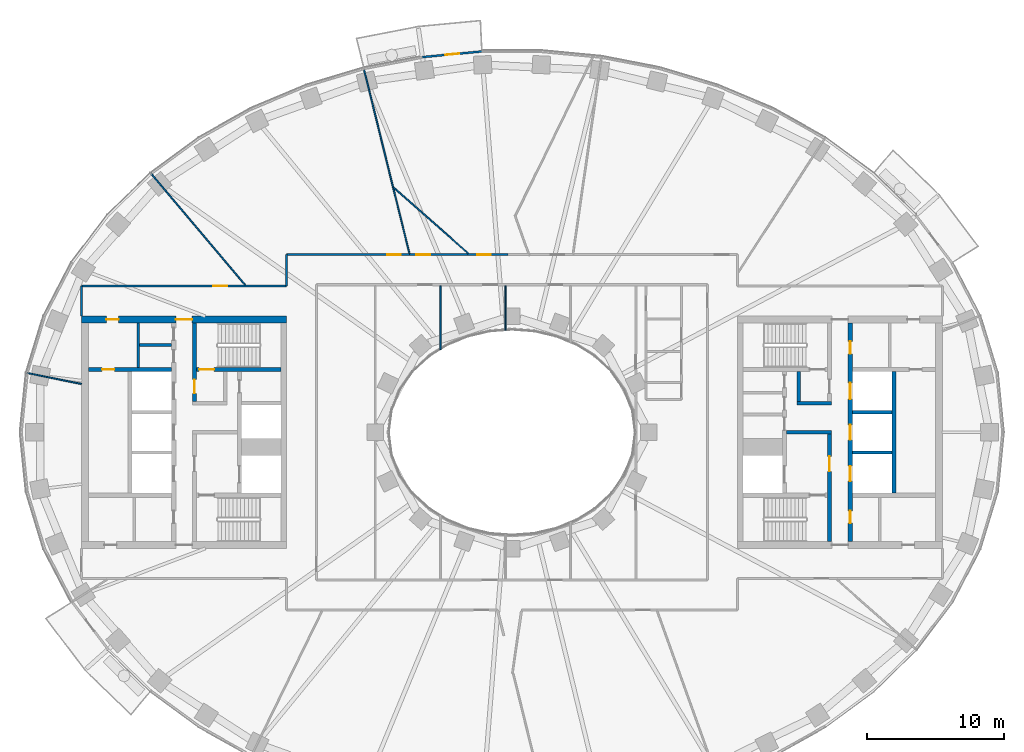
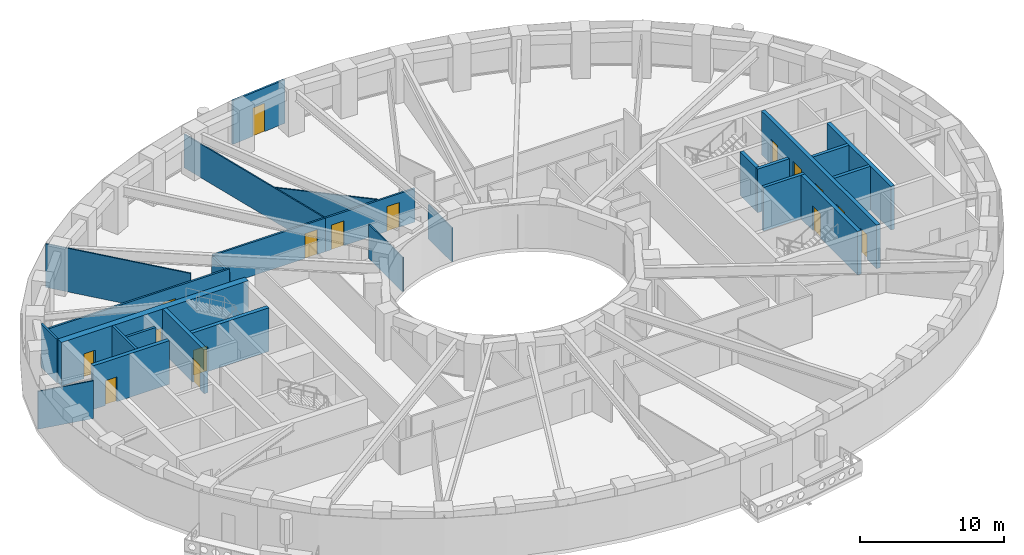
# One storey, part 5 of 16: 26 walls, 16 doors, 16 openings.
"""IFC4 building model written with IfcOpenShell, lengths in metres."""

from ifc_helpers import new_model, si_unit, direction, frame, frame_2d, origin, place, context, subcontext, project, spatial, rectangle, extrude, material, layer, layer_set, type_object, element, fill, save


model = new_model("IFC4")

# Units and contexts
model_context = context("Model", 3, precision=1e-05, world=origin(), true_north=direction((0.0, 1.0)))
body_context = subcontext(model_context, "Body", "Model", "MODEL_VIEW")
ifc_project = project(units=[si_unit("LENGTHUNIT", "METRE"), si_unit("AREAUNIT", "SQUARE_METRE"), si_unit("VOLUMEUNIT", "CUBIC_METRE"), si_unit("PLANEANGLEUNIT", "RADIAN"), si_unit("MASSUNIT", "GRAM", prefix="KILO")], contexts=[model_context])

# Site, building, storey
site_placement = place(None, origin())
site = spatial("IfcSite", under=ifc_project, at=site_placement, CompositionType="ELEMENT")
building_placement = place(site_placement, origin())
building = spatial("IfcBuilding", under=site, at=building_placement, Name="Noorbagh Ring Tower", CompositionType="ELEMENT")
storey_placement = place(building_placement, frame((0.0, 0.0, 108.0)))
storey = spatial("IfcBuildingStorey", under=building, at=storey_placement, Name="L24", CompositionType="ELEMENT", Elevation=108.0)

# Walls
ifc_material_1 = material(Name="Gypsum board on steel studs", Category="steel")
ifc_layer_1 = layer(ifc_material_1, 0.199951171875)
ifc_layer_set_1 = layer_set([ifc_layer_1], Name="Gypsum board on steel studs")
wall_type_1 = type_object("IfcWallType", Name="CORE-PARTITION-200", PredefinedType="PARTITIONING", material=ifc_layer_set_1)
wall_1_placement = place(storey_placement, frame((-27.35009765625, 4.75, 0.0), z_axis=(0.0, 0.0, 1.0), x_axis=(0.0, 1.0, 0.0)))
element("IfcWall", 1, at=wall_1_placement, inside=storey, type_object=wall_type_1, Name="Core partition W", PredefinedType="PARTITIONING", context=body_context, shape_type="SweptSolid", body=[
    extrude(rectangle(XDim=3.25, YDim=0.199951171875, at=frame_2d((1.625, 0.0))), origin(), (0.0, 0.0, 1.0), 3.699951171875),
])
wall_2_placement = place(storey_placement, frame((-24.89990234375, 6.39990234375, 0.0), z_axis=(0.0, 0.0, 1.0), x_axis=(-1.0, 0.0, 0.0)))
element("IfcWall", 2, at=wall_2_placement, inside=storey, type_object=wall_type_1, Name="Core partition W", PredefinedType="PARTITIONING", context=body_context, shape_type="SweptSolid", body=[
    extrude(rectangle(XDim=2.35009765625, YDim=0.199951171875, at=frame_2d((1.175048828125, 0.0))), origin(), (0.0, 0.0, 1.0), 3.699951171875),
])
ifc_material_2 = material(Name="Concrete C70/85", Category="concrete")
ifc_layer_2 = layer(ifc_material_2, 0.25)
ifc_layer_set_2 = layer_set([ifc_layer_2], Name="Concrete C70/85")
wall_type_2 = type_object("IfcWallType", Name="CORE-WALL-250-C70-85-EI120", PredefinedType="SHEAR", material=ifc_layer_set_2)
for number, where, z_axis, x_axis, name in (
    (3, (24.89990234375, -1.47509765625, 0.0), (0.0, 0.0, 1.0), (1.0, 0.0, 0.0), "Core wall E"),
    (4, (24.89990234375, 1.47509765625, 0.0), (0.0, 0.0, 1.0), (1.0, 0.0, 0.0), "Core wall E"),
):
    element("IfcWall", number, at=place(storey_placement, frame(where, z_axis=z_axis, x_axis=x_axis)), inside=storey, type_object=wall_type_2, Name=name, PredefinedType="SHEAR", context=body_context, shape_type="SweptSolid", body=[
        extrude(rectangle(XDim=2.900146484375, YDim=0.25, at=frame_2d((1.4501953125, 0.0))), origin(), (0.0, 0.0, 1.0), 3.699951171875),
    ])
ifc_material_3 = material(Name="Concrete C70/85", Category="concrete")
ifc_layer_3 = layer(ifc_material_3, 0.25)
ifc_layer_set_3 = layer_set([ifc_layer_3], Name="Concrete C70/85")
wall_type_3 = type_object("IfcWallType", Name="CORE-WALL-250-C70-85-EI240", PredefinedType="SHEAR", material=ifc_layer_set_3)
wall_3_placement = place(storey_placement, frame((20.10009765625, 0.0, 0.0), z_axis=(0.0, 0.0, 1.0), x_axis=(1.0, 0.0, 0.0)))
element("IfcWall", 5, at=wall_3_placement, inside=storey, type_object=wall_type_3, Name="Core wall E", PredefinedType="SHEAR", context=body_context, shape_type="SweptSolid", body=[
    extrude(rectangle(XDim=3.27978515625, YDim=0.25, at=frame_2d((1.639892578125, 0.0))), origin(), (0.0, 0.0, 1.0), 3.699951171875),
])
wall_4_placement = place(storey_placement, frame((20.85009765625, 2.125, 0.0), z_axis=(0.0, 0.0, 1.0), x_axis=(1.0, 0.0, 0.0)))
element("IfcWall", 6, at=wall_4_placement, inside=storey, type_object=wall_type_3, Name="Core wall E", PredefinedType="SHEAR", context=body_context, shape_type="SweptSolid", body=[
    extrude(rectangle(XDim=2.52978515625, YDim=0.25, at=frame_2d((1.264892578125, 0.0))), origin(), (0.0, 0.0, 1.0), 3.699951171875),
])
wall_5_placement = place(storey_placement, frame((20.97509765625, 2.25, 0.0), z_axis=(0.0, 0.0, 1.0), x_axis=(0.0, 1.0, 0.0)))
element("IfcWall", 7, at=wall_5_placement, inside=storey, type_object=wall_type_3, Name="Core wall E", PredefinedType="SHEAR", context=body_context, shape_type="SweptSolid", body=[
    extrude(rectangle(XDim=2.199951171875, YDim=0.25, at=frame_2d((1.10009765625, 0.0))), origin(), (0.0, 0.0, 1.0), 3.699951171875),
])
ifc_material_4 = material(Name="Concrete C70/85", Category="concrete")
ifc_layer_4 = layer(ifc_material_4, 0.300048828125)
ifc_layer_set_4 = layer_set([ifc_layer_4], Name="Concrete C70/85")
wall_type_4 = type_object("IfcWallType", Name="CORE-WALL-300-C70-85-EI120", PredefinedType="SHEAR", material=ifc_layer_set_4)
wall_6_placement = place(storey_placement, frame((27.949951171875, -4.449951171875, 0.0), z_axis=(0.0, 0.0, 1.0), x_axis=(0.0, 1.0, 0.0)))
element("IfcWall", 8, at=wall_6_placement, inside=storey, type_object=wall_type_4, Name="Core wall E", PredefinedType="SHEAR", context=body_context, shape_type="SweptSolid", body=[
    extrude(rectangle(XDim=8.89990234375, YDim=0.300048828125, at=frame_2d((4.449951171875, 0.0))), origin(), (0.0, 0.0, 1.0), 3.699951171875),
])

# Wall, openings, doors
wall_7_placement = place(storey_placement, frame((24.75, -8.0, 0.0), z_axis=(0.0, 0.0, 1.0), x_axis=(0.0, 1.0, 0.0)))
wall_7 = element("IfcWall", 9, at=wall_7_placement, inside=storey, type_object=wall_type_4, Name="Core wall E", PredefinedType="SHEAR", context=body_context, shape_type="SweptSolid", body=[
    extrude(rectangle(XDim=16.0, YDim=0.300048828125, at=frame_2d((8.0, 0.0))), origin(), (0.0, 0.0, 1.0), 3.699951171875),
])
opening_1_placement = place(wall_7_placement, frame((4.425048828125, 0.0, 0.0)))
opening_1 = element("IfcOpeningElement", 10, at=opening_1_placement, cuts=wall_7, Name="Opening L24-CE02", PredefinedType="OPENING", context=body_context, shape_type="SweptSolid", body=[
    extrude(rectangle(XDim=1.10009765625, YDim=2.10009765625, at=frame_2d((0.550048828125, 1.050048828125))), frame((0.0, 0.16015625, 0.0), z_axis=(0.0, -1.0, 0.0), x_axis=(1.0, 0.0, 0.0)), (0.0, 0.0, 1.0), 0.320068359375),
])
opening_2_placement = place(wall_7_placement, frame((7.449951171875, 0.0, 0.0)))
opening_2 = element("IfcOpeningElement", 11, at=opening_2_placement, cuts=wall_7, Name="Opening L24-CE03", PredefinedType="OPENING", context=body_context, shape_type="SweptSolid", body=[
    extrude(rectangle(XDim=1.10009765625, YDim=2.10009765625, at=frame_2d((0.550048828125, 1.050048828125))), frame((0.0, 0.16015625, 0.0), z_axis=(0.0, -1.0, 0.0), x_axis=(1.0, 0.0, 0.0)), (0.0, 0.0, 1.0), 0.320068359375),
])
opening_3_placement = place(wall_7_placement, frame((10.425048828125, 0.0, 0.0)))
opening_3 = element("IfcOpeningElement", 12, at=opening_3_placement, cuts=wall_7, Name="Opening L24-CE04", PredefinedType="OPENING", context=body_context, shape_type="SweptSolid", body=[
    extrude(rectangle(XDim=1.199951171875, YDim=2.10009765625, at=frame_2d((0.60009765625, 1.050048828125))), frame((0.0, 0.16015625, 0.0), z_axis=(0.0, -1.0, 0.0), x_axis=(1.0, 0.0, 0.0)), (0.0, 0.0, 1.0), 0.320068359375),
])
opening_4_placement = place(wall_7_placement, frame((13.75, 0.0, 0.0)))
opening_4 = element("IfcOpeningElement", 13, at=opening_4_placement, cuts=wall_7, Name="Opening L24-CE14", PredefinedType="OPENING", context=body_context, shape_type="SweptSolid", body=[
    extrude(rectangle(XDim=0.89990234375, YDim=2.10009765625, at=frame_2d((0.449951171875, 1.050048828125))), frame((0.0, 0.16015625, 0.0), z_axis=(0.0, -1.0, 0.0), x_axis=(1.0, 0.0, 0.0)), (0.0, 0.0, 1.0), 0.320068359375),
])
opening_5_placement = place(wall_7_placement, frame((1.35009765625, 0.0, 0.0)))
opening_5 = element("IfcOpeningElement", 14, at=opening_5_placement, cuts=wall_7, Name="Opening L24-CE16", PredefinedType="OPENING", context=body_context, shape_type="SweptSolid", body=[
    extrude(rectangle(XDim=0.89990234375, YDim=2.10009765625, at=frame_2d((0.449951171875, 1.050048828125))), frame((0.0, 0.16015625, 0.0), z_axis=(0.0, -1.0, 0.0), x_axis=(1.0, 0.0, 0.0)), (0.0, 0.0, 1.0), 0.320068359375),
])
ifc_material_5 = material(Name="Steel door leaf", Category="steel")
door_type_1 = type_object("IfcDoorType", Name="CORE-DOOR-DROOM", OperationType="SINGLE_SWING_LEFT", PredefinedType="DOOR", material=ifc_material_5)
door_1_placement = place(opening_4_placement, origin())
door_1 = element("IfcDoor", 15, at=door_1_placement, inside=storey, type_object=door_type_1, Name="Core room door L24-CE14", OperationType="SINGLE_SWING_LEFT", OverallHeight=2.10009765625, OverallWidth=0.89990234375, PredefinedType="DOOR", context=body_context, shape_type="SweptSolid", body=[
    extrude(rectangle(XDim=0.89990234375, YDim=2.10009765625, at=frame_2d((0.449951171875, 1.050048828125))), frame((0.0, 0.02490234375, 0.0), z_axis=(0.0, -1.0, 0.0), x_axis=(1.0, 0.0, 0.0)), (0.0, 0.0, 1.0), 0.050048828125),
])
fill(opening_4, door_1)
door_2_placement = place(opening_5_placement, origin())
door_2 = element("IfcDoor", 16, at=door_2_placement, inside=storey, type_object=door_type_1, Name="Core room door L24-CE16", OperationType="SINGLE_SWING_RIGHT", OverallHeight=2.10009765625, OverallWidth=0.89990234375, PredefinedType="DOOR", context=body_context, shape_type="SweptSolid", body=[
    extrude(rectangle(XDim=0.89990234375, YDim=2.10009765625, at=frame_2d((0.449951171875, 1.050048828125))), frame((0.0, 0.02490234375, 0.0), z_axis=(0.0, -1.0, 0.0), x_axis=(1.0, 0.0, 0.0)), (0.0, 0.0, 1.0), 0.050048828125),
])
fill(opening_5, door_2)
ifc_material_6 = material(Name="Steel door leaf", Category="steel")
door_type_2 = type_object("IfcDoorType", Name="CORE-DOOR-LD", OperationType="DOUBLE_DOOR_SLIDING", PredefinedType="DOOR", material=ifc_material_6)
door_3_placement = place(opening_1_placement, origin())
door_3 = element("IfcDoor", 17, at=door_3_placement, inside=storey, type_object=door_type_2, Name="Landing door LR3 L24-CE02", OperationType="DOUBLE_DOOR_SLIDING", OverallHeight=2.10009765625, OverallWidth=1.10009765625, PredefinedType="DOOR", context=body_context, shape_type="SweptSolid", body=[
    extrude(rectangle(XDim=1.10009765625, YDim=2.10009765625, at=frame_2d((0.550048828125, 1.050048828125))), frame((0.0, 0.02490234375, 0.0), z_axis=(0.0, -1.0, 0.0), x_axis=(1.0, 0.0, 0.0)), (0.0, 0.0, 1.0), 0.050048828125),
])
fill(opening_1, door_3)
door_4_placement = place(opening_2_placement, origin())
door_4 = element("IfcDoor", 18, at=door_4_placement, inside=storey, type_object=door_type_2, Name="Landing door LR4 L24-CE03", OperationType="DOUBLE_DOOR_SLIDING", OverallHeight=2.10009765625, OverallWidth=1.10009765625, PredefinedType="DOOR", context=body_context, shape_type="SweptSolid", body=[
    extrude(rectangle(XDim=1.10009765625, YDim=2.10009765625, at=frame_2d((0.550048828125, 1.050048828125))), frame((0.0, 0.02490234375, 0.0), z_axis=(0.0, -1.0, 0.0), x_axis=(1.0, 0.0, 0.0)), (0.0, 0.0, 1.0), 0.050048828125),
])
fill(opening_2, door_4)
ifc_material_7 = material(Name="Steel door leaf", Category="steel")
door_type_3 = type_object("IfcDoorType", Name="CORE-DOOR-LDW", OperationType="DOUBLE_DOOR_SLIDING", PredefinedType="DOOR", material=ifc_material_7)
door_5_placement = place(opening_3_placement, origin())
door_5 = element("IfcDoor", 19, at=door_5_placement, inside=storey, type_object=door_type_3, Name="Landing door SV2 L24-CE04", OperationType="DOUBLE_DOOR_SLIDING", OverallHeight=2.10009765625, OverallWidth=1.199951171875, PredefinedType="DOOR", context=body_context, shape_type="SweptSolid", body=[
    extrude(rectangle(XDim=1.199951171875, YDim=2.10009765625, at=frame_2d((0.60009765625, 1.050048828125))), frame((0.0, 0.02490234375, 0.0), z_axis=(0.0, -1.0, 0.0), x_axis=(1.0, 0.0, 0.0)), (0.0, 0.0, 1.0), 0.050048828125),
])
fill(opening_3, door_5)

# Wall, opening, door
ifc_material_8 = material(Name="Concrete C70/85", Category="concrete")
ifc_layer_5 = layer(ifc_material_8, 0.300048828125)
ifc_layer_set_5 = layer_set([ifc_layer_5], Name="Concrete C70/85")
wall_type_5 = type_object("IfcWallType", Name="CORE-WALL-300-C70-85-EI240", PredefinedType="SHEAR", material=ifc_layer_set_5)
wall_8_placement = place(storey_placement, frame((-24.89990234375, 4.60009765625, 0.0), z_axis=(0.0, 0.0, 1.0), x_axis=(-1.0, 0.0, 0.0)))
wall_8 = element("IfcWall", 20, at=wall_8_placement, inside=storey, type_object=wall_type_5, Name="Core wall W", PredefinedType="SHEAR", context=body_context, shape_type="SweptSolid", body=[
    extrude(rectangle(XDim=6.10009765625, YDim=0.300048828125, at=frame_2d((3.050048828125, 0.0))), origin(), (0.0, 0.0, 1.0), 3.699951171875),
])
opening_6_placement = place(wall_8_placement, frame((4.199951171875, 0.0, 0.0)))
opening_6 = element("IfcOpeningElement", 21, at=opening_6_placement, cuts=wall_8, Name="Opening L24-CW17", PredefinedType="OPENING", context=body_context, shape_type="SweptSolid", body=[
    extrude(rectangle(XDim=0.89990234375, YDim=2.10009765625, at=frame_2d((0.449951171875, 1.050048828125))), frame((0.0, 0.16015625, 0.0), z_axis=(0.0, -1.0, 0.0), x_axis=(1.0, 0.0, 0.0)), (0.0, 0.0, 1.0), 0.320068359375),
])
door_6_placement = place(opening_6_placement, origin())
door_6 = element("IfcDoor", 22, at=door_6_placement, inside=storey, type_object=door_type_1, Name="Core room door L24-CW17", OperationType="SINGLE_SWING_LEFT", OverallHeight=2.10009765625, OverallWidth=0.89990234375, PredefinedType="DOOR", context=body_context, shape_type="SweptSolid", body=[
    extrude(rectangle(XDim=0.89990234375, YDim=2.10009765625, at=frame_2d((0.449951171875, 1.050048828125))), frame((0.0, 0.02490234375, 0.0), z_axis=(0.0, -1.0, 0.0), x_axis=(1.0, 0.0, 0.0)), (0.0, 0.0, 1.0), 0.050048828125),
])
fill(opening_6, door_6)

wall_9_placement = place(storey_placement, frame((-23.22998046875, 2.25, 0.0), z_axis=(0.0, 0.0, 1.0), x_axis=(0.0, 1.0, 0.0)))
wall_9 = element("IfcWall", 23, at=wall_9_placement, inside=storey, type_object=wall_type_5, Name="Core wall W", PredefinedType="SHEAR", context=body_context, shape_type="SweptSolid", body=[
    extrude(rectangle(XDim=5.75, YDim=0.300048828125, at=frame_2d((2.875, 0.0))), origin(), (0.0, 0.0, 1.0), 3.699951171875),
])
opening_7_placement = place(wall_9_placement, frame((0.60009765625, 0.0, 0.0)))
opening_7 = element("IfcOpeningElement", 24, at=opening_7_placement, cuts=wall_9, Name="Opening L24-CW08", PredefinedType="OPENING", context=body_context, shape_type="SweptSolid", body=[
    extrude(rectangle(XDim=1.0, YDim=2.10009765625, at=frame_2d((0.5, 1.050048828125))), frame((0.0, 0.16015625, 0.0), z_axis=(0.0, -1.0, 0.0), x_axis=(1.0, 0.0, 0.0)), (0.0, 0.0, 1.0), 0.320068359375),
])
ifc_material_9 = material(Name="Steel door leaf", Category="steel")
door_type_4 = type_object("IfcDoorType", Name="CORE-DOOR-DVEST", OperationType="SINGLE_SWING_LEFT", PredefinedType="DOOR", material=ifc_material_9)
door_7_placement = place(opening_7_placement, origin())
door_7 = element("IfcDoor", 25, at=door_7_placement, inside=storey, type_object=door_type_4, Name="Stair vestibule door L24-CW08", OperationType="SINGLE_SWING_LEFT", OverallHeight=2.10009765625, OverallWidth=1.0, PredefinedType="DOOR", context=body_context, shape_type="SweptSolid", body=[
    extrude(rectangle(XDim=1.0, YDim=2.10009765625, at=frame_2d((0.5, 1.050048828125))), frame((0.0, 0.02490234375, 0.0), z_axis=(0.0, -1.0, 0.0), x_axis=(1.0, 0.0, 0.0)), (0.0, 0.0, 1.0), 0.050048828125),
])
fill(opening_7, door_7)

wall_10_placement = place(storey_placement, frame((-16.89990234375, 4.60009765625, 0.0), z_axis=(0.0, 0.0, 1.0), x_axis=(-1.0, 0.0, 0.0)))
wall_10 = element("IfcWall", 26, at=wall_10_placement, inside=storey, type_object=wall_type_5, Name="Core wall W", PredefinedType="SHEAR", context=body_context, shape_type="SweptSolid", body=[
    extrude(rectangle(XDim=6.18017578125, YDim=0.300048828125, at=frame_2d((3.090087890625, 0.0))), origin(), (0.0, 0.0, 1.0), 3.699951171875),
])
opening_8_placement = place(wall_10_placement, frame((4.89990234375, 0.0, 0.0)))
opening_8 = element("IfcOpeningElement", 27, at=opening_8_placement, cuts=wall_10, Name="Opening L24-CW05", PredefinedType="OPENING", context=body_context, shape_type="SweptSolid", body=[
    extrude(rectangle(XDim=1.10009765625, YDim=2.10009765625, at=frame_2d((0.550048828125, 1.050048828125))), frame((0.0, 0.16015625, 0.0), z_axis=(0.0, -1.0, 0.0), x_axis=(1.0, 0.0, 0.0)), (0.0, 0.0, 1.0), 0.320068359375),
])
ifc_material_10 = material(Name="Steel door leaf", Category="steel")
door_type_5 = type_object("IfcDoorType", Name="CORE-DOOR-DSTAIR", OperationType="SINGLE_SWING_LEFT", PredefinedType="DOOR", material=ifc_material_10)
door_8_placement = place(opening_8_placement, origin())
door_8 = element("IfcDoor", 28, at=door_8_placement, inside=storey, type_object=door_type_5, Name="Stair door ST1 L24-CW05", OperationType="SINGLE_SWING_RIGHT", OverallHeight=2.10009765625, OverallWidth=1.10009765625, PredefinedType="DOOR", context=body_context, shape_type="SweptSolid", body=[
    extrude(rectangle(XDim=1.10009765625, YDim=2.10009765625, at=frame_2d((0.550048828125, 1.050048828125))), frame((0.0, 0.02490234375, 0.0), z_axis=(0.0, -1.0, 0.0), x_axis=(1.0, 0.0, 0.0)), (0.0, 0.0, 1.0), 0.050048828125),
])
fill(opening_8, door_8)

wall_11_placement = place(storey_placement, frame((23.22998046875, -8.0, 0.0), z_axis=(0.0, 0.0, 1.0), x_axis=(0.0, 1.0, 0.0)))
wall_11 = element("IfcWall", 29, at=wall_11_placement, inside=storey, type_object=wall_type_5, Name="Core wall E", PredefinedType="SHEAR", context=body_context, shape_type="SweptSolid", body=[
    extrude(rectangle(XDim=7.875, YDim=0.300048828125, at=frame_2d((3.9375, 0.0))), origin(), (0.0, 0.0, 1.0), 3.699951171875),
])
opening_9_placement = place(wall_11_placement, frame((5.14990234375, 0.0, 0.0)))
opening_9 = element("IfcOpeningElement", 30, at=opening_9_placement, cuts=wall_11, Name="Opening L24-CE07", PredefinedType="OPENING", context=body_context, shape_type="SweptSolid", body=[
    extrude(rectangle(XDim=1.10009765625, YDim=2.10009765625, at=frame_2d((0.550048828125, 1.050048828125))), frame((0.0, 0.16015625, 0.0), z_axis=(0.0, -1.0, 0.0), x_axis=(1.0, 0.0, 0.0)), (0.0, 0.0, 1.0), 0.320068359375),
])
ifc_material_11 = material(Name="Steel door leaf", Category="steel")
door_type_6 = type_object("IfcDoorType", Name="CORE-DOOR-DFF", OperationType="SINGLE_SWING_LEFT", PredefinedType="DOOR", material=ifc_material_11)
door_9_placement = place(opening_9_placement, origin())
door_9 = element("IfcDoor", 31, at=door_9_placement, inside=storey, type_object=door_type_6, Name="Firefighting lobby door L24-CE07", OperationType="SINGLE_SWING_RIGHT", OverallHeight=2.10009765625, OverallWidth=1.10009765625, PredefinedType="DOOR", context=body_context, shape_type="SweptSolid", body=[
    extrude(rectangle(XDim=1.10009765625, YDim=2.10009765625, at=frame_2d((0.550048828125, 1.050048828125))), frame((0.0, 0.02490234375, 0.0), z_axis=(0.0, -1.0, 0.0), x_axis=(1.0, 0.0, 0.0)), (0.0, 0.0, 1.0), 0.050048828125),
])
fill(opening_9, door_9)

# Wall, openings, doors
ifc_material_12 = material(Name="Concrete C70/85", Category="concrete")
ifc_layer_6 = layer(ifc_material_12, 0.5)
ifc_layer_set_6 = layer_set([ifc_layer_6], Name="Concrete C70/85")
wall_type_6 = type_object("IfcWallType", Name="CORE-WALL-500-C70-85-EI240", PredefinedType="SHEAR", material=ifc_layer_set_6)
wall_12_placement = place(storey_placement, frame((-16.5, 8.25, 0.0), z_axis=(0.0, 0.0, 1.0), x_axis=(-1.0, 0.0, 0.0)))
wall_12 = element("IfcWall", 32, at=wall_12_placement, inside=storey, type_object=wall_type_6, Name="Core wall W", PredefinedType="SHEAR", context=body_context, shape_type="SweptSolid", body=[
    extrude(rectangle(XDim=15.0, YDim=0.5, at=frame_2d((7.5, 0.0))), origin(), (0.0, 0.0, 1.0), 3.699951171875),
])
opening_10_placement = place(wall_12_placement, frame((6.89990234375, 0.0, 0.0)))
opening_10 = element("IfcOpeningElement", 33, at=opening_10_placement, cuts=wall_12, Name="Opening L24-CW09", PredefinedType="OPENING", context=body_context, shape_type="SweptSolid", body=[
    extrude(rectangle(XDim=1.199951171875, YDim=2.10009765625, at=frame_2d((0.60009765625, 1.050048828125))), frame((0.0, 0.260009765625, 0.0), z_axis=(0.0, -1.0, 0.0), x_axis=(1.0, 0.0, 0.0)), (0.0, 0.0, 1.0), 0.52001953125),
])
opening_11_placement = place(wall_12_placement, frame((12.27490234375, 0.0, 0.0)))
opening_11 = element("IfcOpeningElement", 34, at=opening_11_placement, cuts=wall_12, Name="Opening L24-CW14", PredefinedType="OPENING", context=body_context, shape_type="SweptSolid", body=[
    extrude(rectangle(XDim=0.89990234375, YDim=2.10009765625, at=frame_2d((0.449951171875, 1.050048828125))), frame((0.0, 0.260009765625, 0.0), z_axis=(0.0, -1.0, 0.0), x_axis=(1.0, 0.0, 0.0)), (0.0, 0.0, 1.0), 0.52001953125),
])
door_10_placement = place(opening_11_placement, origin())
door_10 = element("IfcDoor", 35, at=door_10_placement, inside=storey, type_object=door_type_1, Name="Core room door L24-CW14", OperationType="SINGLE_SWING_RIGHT", OverallHeight=2.10009765625, OverallWidth=0.89990234375, PredefinedType="DOOR", context=body_context, shape_type="SweptSolid", body=[
    extrude(rectangle(XDim=0.89990234375, YDim=2.10009765625, at=frame_2d((0.449951171875, 1.050048828125))), frame((0.0, 0.02490234375, 0.0), z_axis=(0.0, -1.0, 0.0), x_axis=(1.0, 0.0, 0.0)), (0.0, 0.0, 1.0), 0.050048828125),
])
fill(opening_11, door_10)
ifc_material_13 = material(Name="Steel door leaf", Category="steel")
door_type_7 = type_object("IfcDoorType", Name="CORE-DOOR-PORT", OperationType="DOUBLE_DOOR_DOUBLE_SWING", PredefinedType="DOOR", material=ifc_material_13)
door_11_placement = place(opening_10_placement, origin())
door_11 = element("IfcDoor", 36, at=door_11_placement, inside=storey, type_object=door_type_7, Name="Core entrance door L24-CW09", OperationType="DOUBLE_DOOR_DOUBLE_SWING", OverallHeight=2.10009765625, OverallWidth=1.199951171875, PredefinedType="DOOR", context=body_context, shape_type="SweptSolid", body=[
    extrude(rectangle(XDim=1.199951171875, YDim=2.10009765625, at=frame_2d((0.60009765625, 1.050048828125))), frame((0.0, 0.02490234375, 0.0), z_axis=(0.0, -1.0, 0.0), x_axis=(1.0, 0.0, 0.0)), (0.0, 0.0, 1.0), 0.050048828125),
])
fill(opening_10, door_11)

# Wall
ifc_material_14 = material(Name="Gypsum board on steel studs", Category="steel")
ifc_layer_7 = layer(ifc_material_14, 0.14990234375)
ifc_layer_set_7 = layer_set([ifc_layer_7], Name="Gypsum board on steel studs")
wall_type_7 = type_object("IfcWallType", Name="CORRIDOR PARTITION 150 EI 30", PredefinedType="PARTITIONING", material=ifc_layer_set_7)
wall_13_placement = place(storey_placement, frame((-31.5, 8.5, 0.0), z_axis=(0.0, 0.0, 1.0), x_axis=(0.0, 1.0, 0.0)))
element("IfcWall", 37, at=wall_13_placement, inside=storey, type_object=wall_type_7, Name="L24/wall/P05", PredefinedType="PARTITIONING", context=body_context, shape_type="SweptSolid", body=[
    extrude(rectangle(XDim=2.199951171875, YDim=0.14990234375, at=frame_2d((1.10009765625, 0.0))), origin(), (0.0, 0.0, 1.0), 3.699951171875),
])

# Wall, opening, door
wall_14_placement = place(storey_placement, frame((-31.5, 10.699951171875, 0.0), z_axis=(0.0, 0.0, 1.0), x_axis=(1.0, 0.0, 0.0)))
wall_14 = element("IfcWall", 38, at=wall_14_placement, inside=storey, type_object=wall_type_7, Name="L24/wall/P06", PredefinedType="PARTITIONING", context=body_context, shape_type="SweptSolid", body=[
    extrude(rectangle(XDim=15.0, YDim=0.14990234375, at=frame_2d((7.5, 0.0))), origin(), (0.0, 0.0, 1.0), 3.10009765625),
])
opening_12_placement = place(wall_14_placement, frame((9.655029296875, 0.0, 0.0)))
opening_12 = element("IfcOpeningElement", 39, at=opening_12_placement, cuts=wall_14, Name="Opening D1", PredefinedType="OPENING", context=body_context, shape_type="SweptSolid", body=[
    extrude(rectangle(XDim=1.0, YDim=2.10009765625, at=frame_2d((0.5, 1.050048828125))), frame((0.0, 0.0849609375, 0.0), z_axis=(0.0, -1.0, 0.0), x_axis=(1.0, 0.0, 0.0)), (0.0, 0.0, 1.0), 0.169921875),
])
ifc_material_15 = material(Name="Timber, painted", Category="wood")
door_type_8 = type_object("IfcDoorType", Name="DOOR 1000 X 2100 FD30", OperationType="SINGLE_SWING_LEFT", PredefinedType="DOOR", material=ifc_material_15)
door_12_placement = place(opening_12_placement, origin())
door_12 = element("IfcDoor", 40, at=door_12_placement, inside=storey, type_object=door_type_8, Name="L24-D07", OperationType="SINGLE_SWING_LEFT", OverallHeight=2.10009765625, OverallWidth=1.0, PredefinedType="DOOR", context=body_context, shape_type="SweptSolid", body=[
    extrude(rectangle(XDim=1.0, YDim=2.10009765625, at=frame_2d((0.5, 1.050048828125))), frame((0.0, 0.02490234375, 0.0), z_axis=(0.0, -1.0, 0.0), x_axis=(1.0, 0.0, 0.0)), (0.0, 0.0, 1.0), 0.050048828125),
])
fill(opening_12, door_12)

# Wall
wall_15_placement = place(storey_placement, frame((-16.5, 10.699951171875, 0.0), z_axis=(0.0, 0.0, 1.0), x_axis=(0.0, 1.0, 0.0)))
element("IfcWall", 41, at=wall_15_placement, inside=storey, type_object=wall_type_7, Name="L24/wall/P11", PredefinedType="PARTITIONING", context=body_context, shape_type="SweptSolid", body=[
    extrude(rectangle(XDim=2.300048828125, YDim=0.14990234375, at=frame_2d((1.14990234375, 0.0))), origin(), (0.0, 0.0, 1.0), 2.75),
])

# Wall, opening, door
wall_16_placement = place(storey_placement, frame((-16.5, 13.0, 0.0), z_axis=(0.0, 0.0, 1.0), x_axis=(1.0, 0.0, 0.0)))
wall_16 = element("IfcWall", 42, at=wall_16_placement, inside=storey, type_object=wall_type_7, Name="L24/wall/P12", PredefinedType="PARTITIONING", context=body_context, shape_type="SweptSolid", body=[
    extrude(rectangle(XDim=9.0009765625, YDim=0.14990234375, at=frame_2d((4.50048828125, 0.0))), origin(), (0.0, 0.0, 1.0), 2.85009765625),
])
opening_13_placement = place(wall_16_placement, frame((7.366943359375, 0.0, 0.0)))
opening_13 = element("IfcOpeningElement", 43, at=opening_13_placement, cuts=wall_16, Name="Opening D1", PredefinedType="OPENING", context=body_context, shape_type="SweptSolid", body=[
    extrude(rectangle(XDim=1.0, YDim=2.10009765625, at=frame_2d((0.5, 1.050048828125))), frame((0.0, 0.0849609375, 0.0), z_axis=(0.0, -1.0, 0.0), x_axis=(1.0, 0.0, 0.0)), (0.0, 0.0, 1.0), 0.169921875),
])
door_13_placement = place(opening_13_placement, origin())
door_13 = element("IfcDoor", 44, at=door_13_placement, inside=storey, type_object=door_type_8, Name="L24-D09", OperationType="SINGLE_SWING_LEFT", OverallHeight=2.10009765625, OverallWidth=1.0, PredefinedType="DOOR", context=body_context, shape_type="SweptSolid", body=[
    extrude(rectangle(XDim=1.0, YDim=2.10009765625, at=frame_2d((0.5, 1.050048828125))), frame((0.0, 0.02490234375, 0.0), z_axis=(0.0, -1.0, 0.0), x_axis=(1.0, 0.0, 0.0)), (0.0, 0.0, 1.0), 0.050048828125),
])
fill(opening_13, door_13)

# Wall, openings, doors
wall_17_placement = place(storey_placement, frame((-7.48291015625, 13.0, 0.0), z_axis=(0.0, 0.0, 1.0), x_axis=(1.0, 0.0, 0.0)))
wall_17 = element("IfcWall", 45, at=wall_17_placement, inside=storey, type_object=wall_type_7, Name="L24/wall/P19", PredefinedType="PARTITIONING", context=body_context, shape_type="SweptSolid", body=[
    extrude(rectangle(XDim=7.183837890625, YDim=0.14990234375, at=frame_2d((3.591796875, 0.0))), origin(), (0.0, 0.0, 1.0), 2.85009765625),
])
opening_14_placement = place(wall_17_placement, frame((4.93310546875, 0.0, 0.0)))
opening_14 = element("IfcOpeningElement", 46, at=opening_14_placement, cuts=wall_17, Name="Opening D1", PredefinedType="OPENING", context=body_context, shape_type="SweptSolid", body=[
    extrude(rectangle(XDim=1.0, YDim=2.10009765625, at=frame_2d((0.5, 1.050048828125))), frame((0.0, 0.0849609375, 0.0), z_axis=(0.0, -1.0, 0.0), x_axis=(1.0, 0.0, 0.0)), (0.0, 0.0, 1.0), 0.169921875),
])
opening_15_placement = place(wall_17_placement, frame((0.48388671875, 0.0, 0.0)))
opening_15 = element("IfcOpeningElement", 47, at=opening_15_placement, cuts=wall_17, Name="Opening D1", PredefinedType="OPENING", context=body_context, shape_type="SweptSolid", body=[
    extrude(rectangle(XDim=1.0, YDim=2.10009765625, at=frame_2d((0.5, 1.050048828125))), frame((0.0, 0.0849609375, 0.0), z_axis=(0.0, -1.0, 0.0), x_axis=(1.0, 0.0, 0.0)), (0.0, 0.0, 1.0), 0.169921875),
])
door_14_placement = place(opening_14_placement, origin())
door_14 = element("IfcDoor", 48, at=door_14_placement, inside=storey, type_object=door_type_8, Name="L24-D11", OperationType="SINGLE_SWING_LEFT", OverallHeight=2.10009765625, OverallWidth=1.0, PredefinedType="DOOR", context=body_context, shape_type="SweptSolid", body=[
    extrude(rectangle(XDim=1.0, YDim=2.10009765625, at=frame_2d((0.5, 1.050048828125))), frame((0.0, 0.02490234375, 0.0), z_axis=(0.0, -1.0, 0.0), x_axis=(1.0, 0.0, 0.0)), (0.0, 0.0, 1.0), 0.050048828125),
])
fill(opening_14, door_14)
door_15_placement = place(opening_15_placement, origin())
door_15 = element("IfcDoor", 49, at=door_15_placement, inside=storey, type_object=door_type_8, Name="L24-D12", OperationType="SINGLE_SWING_RIGHT", OverallHeight=2.10009765625, OverallWidth=1.0, PredefinedType="DOOR", context=body_context, shape_type="SweptSolid", body=[
    extrude(rectangle(XDim=1.0, YDim=2.10009765625, at=frame_2d((0.5, 1.050048828125))), frame((0.0, 0.02490234375, 0.0), z_axis=(0.0, -1.0, 0.0), x_axis=(1.0, 0.0, 0.0)), (0.0, 0.0, 1.0), 0.050048828125),
])
fill(opening_15, door_15)

# Wall, opening, door
ifc_material_16 = material(Name="Insulated aluminium clad panel", Category="aluminium")
ifc_layer_8 = layer(ifc_material_16, 0.14990234375)
ifc_layer_set_8 = layer_set([ifc_layer_8], Name="Insulated aluminium clad panel")
wall_type_8 = type_object("IfcWallType", Name="ENV-WALL-DOOR", PredefinedType="STANDARD", material=ifc_layer_set_8)
wall_18_placement = place(storey_placement, frame((-2.166259765625, 27.875244140625, 0.0), z_axis=(0.0, 0.0, 1.0), x_axis=(-0.995473879823, -0.095035543824, 0.0)))
wall_18 = element("IfcWall", 50, at=wall_18_placement, inside=storey, type_object=wall_type_8, Name="Balcony door wall chord 13", PredefinedType="STANDARD", context=body_context, shape_type="SweptSolid", body=[
    extrude(rectangle(XDim=4.42626953125, YDim=0.14990234375, at=frame_2d((2.213134765625, 0.0))), origin(), (0.0, 0.0, 1.0), 3.699951171875),
])
opening_16_placement = place(wall_18_placement, frame((1.713134765625, 0.0, 0.0)))
opening_16 = element("IfcOpeningElement", 51, at=opening_16_placement, cuts=wall_18, Name="Opening D-BL", PredefinedType="OPENING", context=body_context, shape_type="SweptSolid", body=[
    extrude(rectangle(XDim=1.0, YDim=2.39990234375, at=frame_2d((0.5, 1.199951171875))), frame((0.0, 0.0849609375, 0.0), z_axis=(0.0, -1.0, 0.0), x_axis=(1.0, 0.0, 0.0)), (0.0, 0.0, 1.0), 0.169921875),
])
ifc_material_17 = material(Name="Aluminium and glass", Category="aluminium")
door_type_9 = type_object("IfcDoorType", Name="ENV-DOOR-BALCONY", OperationType="SINGLE_SWING_LEFT", PredefinedType="DOOR", material=ifc_material_17)
door_16_placement = place(opening_16_placement, origin())
door_16 = element("IfcDoor", 52, at=door_16_placement, inside=storey, type_object=door_type_9, Name="Balcony door chord 13", OperationType="SINGLE_SWING_LEFT", OverallHeight=2.39990234375, OverallWidth=1.0, PredefinedType="DOOR", context=body_context, shape_type="SweptSolid", body=[
    extrude(rectangle(XDim=1.0, YDim=2.39990234375, at=frame_2d((0.5, 1.199951171875))), frame((0.0, 0.02490234375, 0.0), z_axis=(0.0, -1.0, 0.0), x_axis=(1.0, 0.0, 0.0)), (0.0, 0.0, 1.0), 0.050048828125),
])
fill(opening_16, door_16)

# Walls
ifc_material_18 = material(Name="Gypsum board on steel studs", Category="steel")
ifc_layer_9 = layer(ifc_material_18, 0.10009765625)
ifc_layer_set_9 = layer_set([ifc_layer_9], Name="Gypsum board on steel studs")
wall_type_9 = type_object("IfcWallType", Name="PARTITION 100 GYPSUM", PredefinedType="PARTITIONING", material=ifc_layer_set_9)
wall_19_placement = place(storey_placement, frame((-35.511962890625, 4.34912109375, 0.0), z_axis=(0.0, 0.0, 1.0), x_axis=(0.980357474535, -0.197228857227, 0.0)))
element("IfcWall", 53, at=wall_19_placement, inside=storey, type_object=wall_type_9, Name="L24/wall/P01", PredefinedType="PARTITIONING", context=body_context, shape_type="SweptSolid", body=[
    extrude(rectangle(XDim=4.09228515625, YDim=0.10009765625, at=frame_2d((2.046142578125, 0.0))), origin(), (0.0, 0.0, 1.0), 3.199951171875),
])
wall_20_placement = place(storey_placement, frame((-26.429931640625, 18.945068359375, 0.0), z_axis=(0.0, 0.0, 1.0), x_axis=(0.646400187952, -0.762998556365, 0.0)))
element("IfcWall", 54, at=wall_20_placement, inside=storey, type_object=wall_type_9, Name="L24/wall/P07", PredefinedType="PARTITIONING", context=body_context, shape_type="SweptSolid", body=[
    extrude(rectangle(XDim=10.703857421875, YDim=0.10009765625, at=frame_2d((5.35205078125, 0.0))), origin(), (0.0, 0.0, 1.0), 3.699951171875),
])
wall_21_placement = place(storey_placement, frame((-10.85302734375, 26.64599609375, 0.0), z_axis=(0.0, 0.0, 1.0), x_axis=(0.239763745499, -0.97083126564, 0.0)))
element("IfcWall", 55, at=wall_21_placement, inside=storey, type_object=wall_type_9, Name="L24/wall/P16", PredefinedType="PARTITIONING", context=body_context, shape_type="SweptSolid", body=[
    extrude(rectangle(XDim=14.055908203125, YDim=0.10009765625, at=frame_2d((7.02783203125, 0.0))), origin(), (0.0, 0.0, 1.0), 2.85009765625),
])
wall_22_placement = place(storey_placement, frame((-8.64208984375, 17.903076171875, 0.0), z_axis=(0.0, 0.0, 1.0), x_axis=(0.749027274438, -0.662539162728, 0.0)))
element("IfcWall", 56, at=wall_22_placement, inside=storey, type_object=wall_type_9, Name="L24/wall/P18", PredefinedType="PARTITIONING", context=body_context, shape_type="SweptSolid", body=[
    extrude(rectangle(XDim=7.282958984375, YDim=0.10009765625, at=frame_2d((3.6416015625, 0.0))), origin(), (0.0, 0.0, 1.0), 2.85009765625),
])
wall_23_placement = place(storey_placement, frame((-5.242919921875, 6.05908203125, 0.0), z_axis=(0.0, 0.0, 1.0), x_axis=(0.0, 1.0, 0.0)))
element("IfcWall", 57, at=wall_23_placement, inside=storey, type_object=wall_type_9, Name="L24/wall/P21", PredefinedType="PARTITIONING", context=body_context, shape_type="SweptSolid", body=[
    extrude(rectangle(XDim=4.666015625, YDim=0.10009765625, at=frame_2d((2.3330078125, 0.0))), origin(), (0.0, 0.0, 1.0), 2.89990234375),
])
wall_24_placement = place(storey_placement, frame((-0.47705078125, 7.468017578125, 0.0), z_axis=(0.0, 0.0, 1.0), x_axis=(0.0, 1.0, 0.0)))
element("IfcWall", 58, at=wall_24_placement, inside=storey, type_object=wall_type_9, Name="L24/wall/P24", PredefinedType="PARTITIONING", context=body_context, shape_type="SweptSolid", body=[
    extrude(rectangle(XDim=3.257080078125, YDim=0.10009765625, at=frame_2d((1.62841796875, 0.0))), origin(), (0.0, 0.0, 1.0), 2.89990234375),
])

save(model, "model.ifc")
